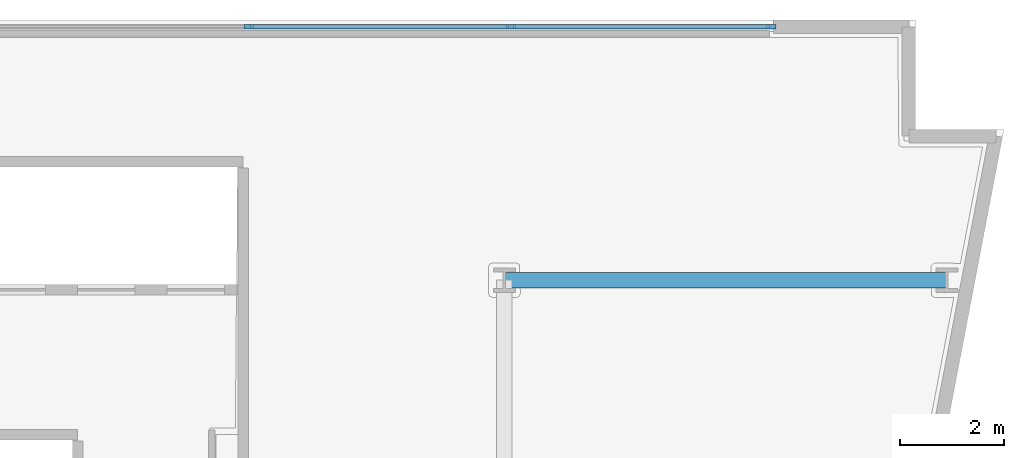
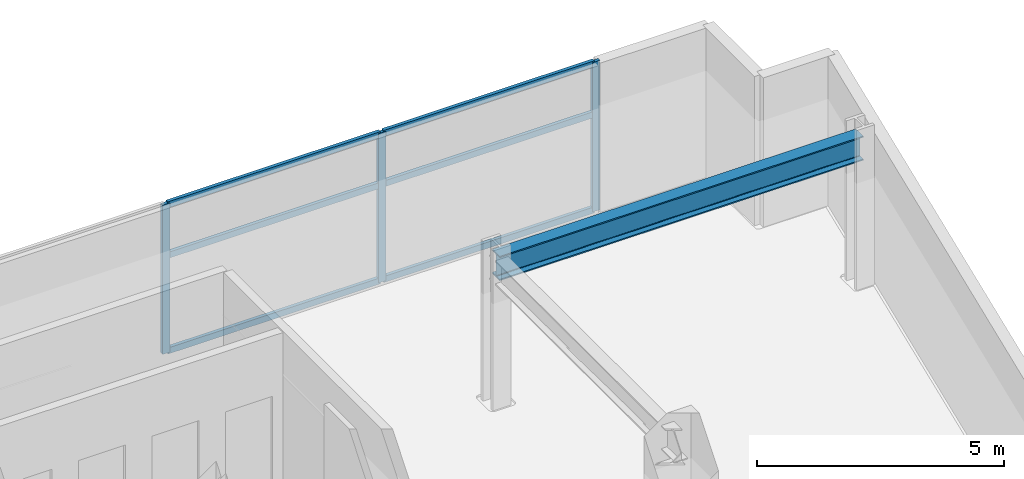
# One storey, part 4 of 12: 9 members, 1 beam, 1 element without a shape of its own.
"""IFC4 building model written with IfcOpenShell, lengths in metres."""

from ifc_helpers import new_model, si_unit, direction, frame, origin, origin_2d, place, context, subcontext, project, spatial, rectangle, i_section, extrude, material, layer, layer_set, material_profile, profile_set, type_object, element, aggregate, save


model = new_model("IFC4")

# Units and contexts
model_context = context("Model", 3, precision=1e-05, world=origin(), true_north=direction((0.0, 1.0)))
body_context = subcontext(model_context, "Body", "Model", "MODEL_VIEW")
ifc_project = project(units=[si_unit("LENGTHUNIT", "METRE"), si_unit("AREAUNIT", "SQUARE_METRE"), si_unit("VOLUMEUNIT", "CUBIC_METRE"), si_unit("PLANEANGLEUNIT", "RADIAN"), si_unit("MASSUNIT", "GRAM", prefix="KILO")], contexts=[model_context])

# Site, building, storey
site_placement = place(None, origin())
site = spatial("IfcSite", under=ifc_project, at=site_placement, CompositionType="ELEMENT")
building_placement = place(site_placement, origin())
building = spatial("IfcBuilding", under=site, at=building_placement, Name="Caeloran Harvest Quay", CompositionType="ELEMENT")
storey_placement = place(building_placement, frame((0.0, 0.0, 150.89990234375)))
storey = spatial("IfcBuildingStorey", under=building, at=storey_placement, Name="L35", CompositionType="ELEMENT", Elevation=150.89990234375)

# Beam
ifc_material_1 = material(Name="Steel S355J2", Category="steel")
ifc_material_profile_1 = material_profile(ifc_material_1, i_section(OverallWidth=0.300048828125, OverallDepth=0.60009765625, WebThickness=0.015380859375, FlangeThickness=0.030029296875, FilletRadius=0.027099609375, at=origin_2d()), Name="HE 600 B")
ifc_profile_set_1 = profile_set([ifc_material_profile_1], Name="Steel S355J2")
beam_type = type_object("IfcBeamType", Name="BM-PG-3-HE_600_B", PredefinedType="BEAM", material=ifc_profile_set_1)
beam_placement = place(storey_placement, frame((42.5, 38.5, 3.39013671875), z_axis=(1.0, 0.0, 0.0), x_axis=(0.0, 1.0, 0.0)))
element("IfcBeam", 1, at=beam_placement, inside=storey, type_object=beam_type, Name="L35 Primary East-West Girder Y=38.5", PredefinedType="BEAM", context=body_context, shape_type="SweptSolid", body=[
    extrude(i_section(OverallWidth=0.300048828125, OverallDepth=0.60009765625, WebThickness=0.015380859375, FlangeThickness=0.030029296875, FilletRadius=0.027099609375, at=origin_2d()), origin(), (0.0, 0.0, 1.0), 8.5),
])

# Curtain wall, members
ifc_material_2 = material(Name="Aluminium 6063-T6 and Low-E Glazing", Category="aluminium")
ifc_layer = layer(ifc_material_2, 0.22998046875, Name="Aluminium 6063-T6 and Low-E Glazing")
ifc_layer_set = layer_set([ifc_layer], Name="Aluminium 6063-T6 and Low-E Glazing")
curtain_wall_type = type_object("IfcCurtainWallType", Name="CW-SYS-CW-6", PredefinedType="USERDEFINED", material=ifc_layer_set)
curtain_wall_placement = place(storey_placement, origin())
curtain_wall = element("IfcCurtainWall", 2, at=curtain_wall_placement, inside=storey, type_object=curtain_wall_type, Name="L35 Unitised Curtain Wall CW-6 Run 6", ObjectType="CURTAIN_WALL", PredefinedType="USERDEFINED")
ifc_material_3 = material(Name="Aluminium 6063-T6", Category="aluminium")
ifc_material_profile_2 = material_profile(ifc_material_3, rectangle(XDim=0.080078125, YDim=0.179931640625, at=origin_2d()), Name="CW-MULLION-180")
ifc_profile_set_2 = profile_set([ifc_material_profile_2], Name="Aluminium 6063-T6")
member_type_1 = type_object("IfcMemberType", Name="CW-MULLION-180", PredefinedType="MULLION", material=ifc_profile_set_2)
member_1_placement = place(storey_placement, frame((37.5849609375, 43.3701171875, 0.0), z_axis=(0.0, 0.0, 1.0), x_axis=(0.0, 1.0, 0.0)))
member_1 = element("IfcMember", 3, at=member_1_placement, type_object=member_type_1, Name="CW-6 mullion 7", PredefinedType="MULLION", context=body_context, shape_type="SweptSolid", body=[
    extrude(rectangle(XDim=0.080078125, YDim=0.179931640625, at=origin_2d()), origin(), (0.0, 0.0, 1.0), 3.690185546875),
])
member_2_placement = place(storey_placement, frame((42.62744140625, 43.3701171875, 0.0), z_axis=(0.0, 0.0, 1.0), x_axis=(0.0, 1.0, 0.0)))
member_2 = element("IfcMember", 4, at=member_2_placement, type_object=member_type_1, Name="CW-6 mullion 8", PredefinedType="MULLION", context=body_context, shape_type="SweptSolid", body=[
    extrude(rectangle(XDim=0.080078125, YDim=0.179931640625, at=origin_2d()), origin(), (0.0, 0.0, 1.0), 3.690185546875),
])
member_3_placement = place(storey_placement, frame((47.6298828125, 43.3701171875, 0.0), z_axis=(0.0, 0.0, 1.0), x_axis=(0.0, 1.0, 0.0)))
member_3 = element("IfcMember", 5, at=member_3_placement, type_object=member_type_1, Name="CW-6 mullion 9", PredefinedType="MULLION", context=body_context, shape_type="SweptSolid", body=[
    extrude(rectangle(XDim=0.080078125, YDim=0.179931640625, at=origin_2d()), origin(), (0.0, 0.0, 1.0), 3.690185546875),
])
ifc_material_profile_3 = material_profile(ifc_material_3, rectangle(XDim=0.080078125, YDim=0.14990234375, at=origin_2d()), Name="CW-TRANSOM-150")
ifc_profile_set_3 = profile_set([ifc_material_profile_3], Name="Aluminium 6063-T6")
member_type_2 = type_object("IfcMemberType", Name="CW-TRANSOM-150", PredefinedType="USERDEFINED", material=ifc_profile_set_3)
member_4_placement = place(storey_placement, frame((37.625, 43.3701171875, 0.0400390625), z_axis=(1.0, 0.0, 0.0), x_axis=(0.0, 1.0, 0.0)))
member_4 = element("IfcMember", 6, at=member_4_placement, type_object=member_type_2, Name="CW-6 transom 7.1", ObjectType="TRANSOM", PredefinedType="USERDEFINED", context=body_context, shape_type="SweptSolid", body=[
    extrude(rectangle(XDim=0.080078125, YDim=0.14990234375, at=origin_2d()), origin(), (0.0, 0.0, 1.0), 4.96240234375),
])
member_5_placement = place(storey_placement, frame((37.625, 43.3701171875, 2.400146484375), z_axis=(1.0, 0.0, 0.0), x_axis=(0.0, 1.0, 0.0)))
member_5 = element("IfcMember", 7, at=member_5_placement, type_object=member_type_2, Name="CW-6 transom 7.2", ObjectType="TRANSOM", PredefinedType="USERDEFINED", context=body_context, shape_type="SweptSolid", body=[
    extrude(rectangle(XDim=0.080078125, YDim=0.14990234375, at=origin_2d()), origin(), (0.0, 0.0, 1.0), 4.96240234375),
])
member_6_placement = place(storey_placement, frame((37.625, 43.3701171875, 3.650146484375), z_axis=(1.0, 0.0, 0.0), x_axis=(0.0, 1.0, 0.0)))
member_6 = element("IfcMember", 8, at=member_6_placement, type_object=member_type_2, Name="CW-6 transom 7.3", ObjectType="TRANSOM", PredefinedType="USERDEFINED", context=body_context, shape_type="SweptSolid", body=[
    extrude(rectangle(XDim=0.080078125, YDim=0.14990234375, at=origin_2d()), origin(), (0.0, 0.0, 1.0), 4.96240234375),
])
member_7_placement = place(storey_placement, frame((42.66748046875, 43.3701171875, 0.0400390625), z_axis=(1.0, 0.0, 0.0), x_axis=(0.0, 1.0, 0.0)))
member_7 = element("IfcMember", 9, at=member_7_placement, type_object=member_type_2, Name="CW-6 transom 8.1", ObjectType="TRANSOM", PredefinedType="USERDEFINED", context=body_context, shape_type="SweptSolid", body=[
    extrude(rectangle(XDim=0.080078125, YDim=0.14990234375, at=origin_2d()), origin(), (0.0, 0.0, 1.0), 4.922607421875),
])
member_8_placement = place(storey_placement, frame((42.66748046875, 43.3701171875, 2.400146484375), z_axis=(1.0, 0.0, 0.0), x_axis=(0.0, 1.0, 0.0)))
member_8 = element("IfcMember", 10, at=member_8_placement, type_object=member_type_2, Name="CW-6 transom 8.2", ObjectType="TRANSOM", PredefinedType="USERDEFINED", context=body_context, shape_type="SweptSolid", body=[
    extrude(rectangle(XDim=0.080078125, YDim=0.14990234375, at=origin_2d()), origin(), (0.0, 0.0, 1.0), 4.922607421875),
])
member_9_placement = place(storey_placement, frame((42.66748046875, 43.3701171875, 3.650146484375), z_axis=(1.0, 0.0, 0.0), x_axis=(0.0, 1.0, 0.0)))
member_9 = element("IfcMember", 11, at=member_9_placement, type_object=member_type_2, Name="CW-6 transom 8.3", ObjectType="TRANSOM", PredefinedType="USERDEFINED", context=body_context, shape_type="SweptSolid", body=[
    extrude(rectangle(XDim=0.080078125, YDim=0.14990234375, at=origin_2d()), origin(), (0.0, 0.0, 1.0), 4.922607421875),
])
aggregate(curtain_wall, [member_1, member_2, member_3, member_4, member_5, member_6, member_7, member_8, member_9])

save(model, "model.ifc")
